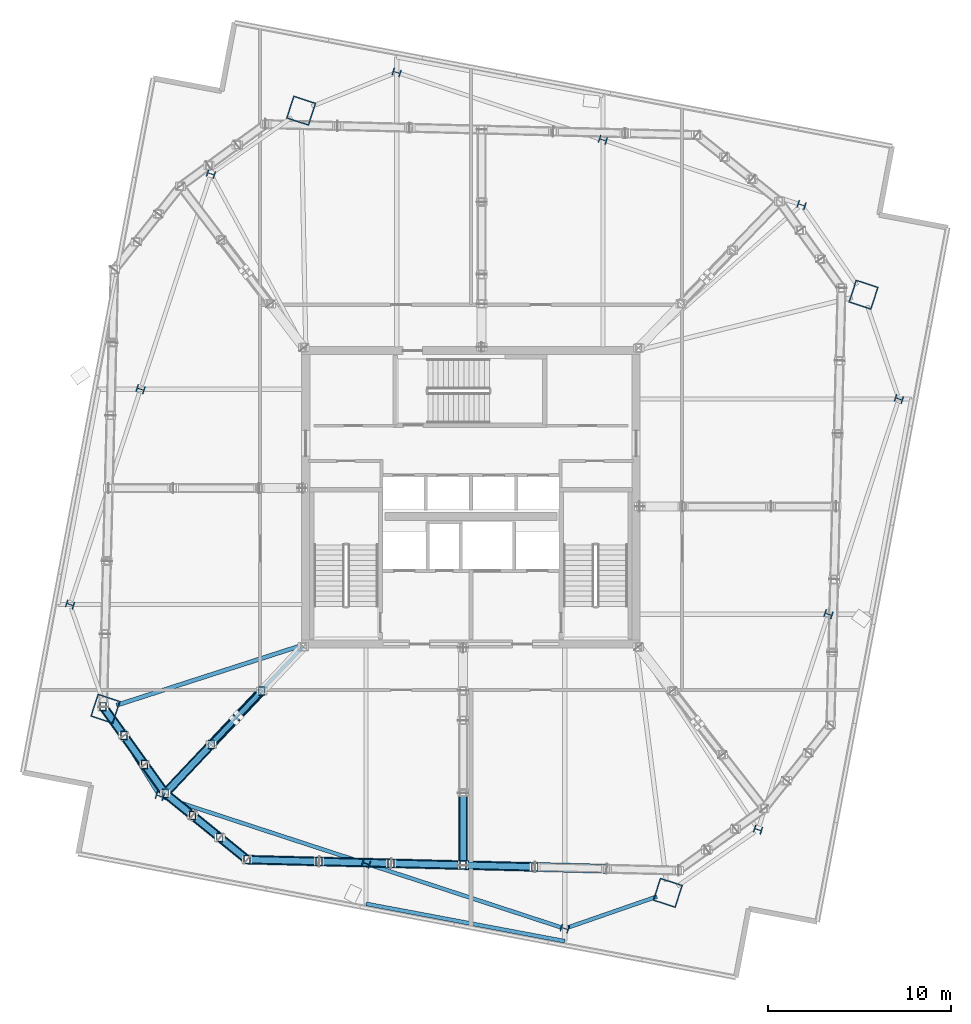
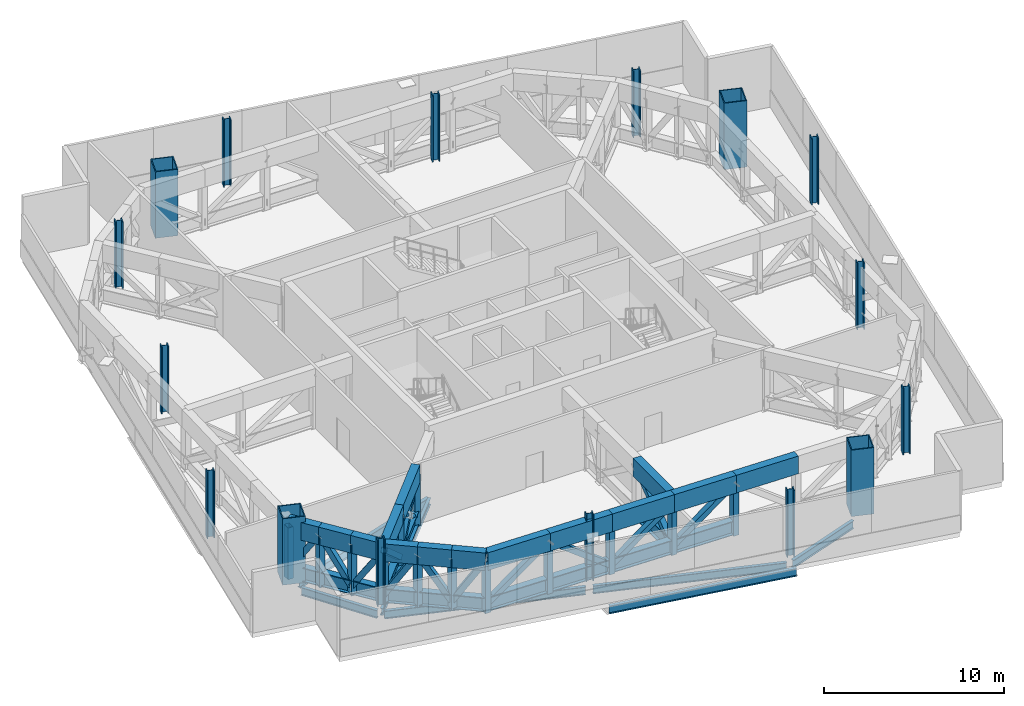
# One storey, part 1 of 15: 55 members, 16 columns, 7 beams.
"""IFC4 building model written with IfcOpenShell, lengths in metres."""

from ifc_helpers import new_model, si_unit, direction, frame, origin, origin_2d, place, context, subcontext, project, spatial, hollow_rectangle, hollow_circle, i_section, extrude, material, material_profile, profile_set, type_object, element, save


model = new_model("IFC4")

# Units and contexts
model_context = context("Model", 3, precision=1e-05, world=origin(), true_north=direction((0.0, 1.0)))
body_context = subcontext(model_context, "Body", "Model", "MODEL_VIEW")
ifc_project = project(units=[si_unit("LENGTHUNIT", "METRE"), si_unit("AREAUNIT", "SQUARE_METRE"), si_unit("VOLUMEUNIT", "CUBIC_METRE"), si_unit("PLANEANGLEUNIT", "RADIAN"), si_unit("MASSUNIT", "GRAM", prefix="KILO")], contexts=[model_context])

# Site, building, storey
site_placement = place(None, origin())
site = spatial("IfcSite", under=ifc_project, at=site_placement, CompositionType="ELEMENT")
building_placement = place(site_placement, origin())
building = spatial("IfcBuilding", under=site, at=building_placement, Name="Haldenkirk Collegiate Tower", CompositionType="ELEMENT")
storey_placement = place(building_placement, frame((0.0, 0.0, 293.699951171875)))
storey = spatial("IfcBuildingStorey", under=building, at=storey_placement, Name="L74", CompositionType="ELEMENT", Elevation=293.699951171875)

# Columns
ifc_material_1 = material(Name="Steel ASTM A913 Grade 65", Category="steel")
ifc_material_profile_1 = material_profile(ifc_material_1, i_section(OverallWidth=0.416015625, OverallDepth=0.445068359375, WebThickness=0.0390625, FlangeThickness=0.062744140625, at=origin_2d()), Name="W14X342")
ifc_profile_set_1 = profile_set([ifc_material_profile_1], Name="Steel ASTM A913 Grade 65")
column_type_1 = type_object("IfcColumnType", Name="COL-INT-W14X342", PredefinedType="COLUMN", material=ifc_profile_set_1)
for number, where, z_axis, x_axis, name in (
    (1, (51.64306640625, 7.888671875, 0.0), (0.0, 0.0, 1.0), (0.311008203279, 0.950407227189, 0.0), "L74 perimeter gravity column PC-S1"),
    (2, (55.4833984375, 19.624267578125, 0.0), (0.0, 0.0, 1.0), (0.311008203279, 0.950407227189, 0.0), "L74 perimeter gravity column PC-S2"),
    (3, (59.32373046875, 31.360107421875, 0.0), (0.0, 0.0, 1.0), (0.311008203279, 0.950407227189, 0.0), "L74 perimeter gravity column PC-S3"),
    (4, (54.01806640625, 41.9365234375, 0.0), (0.0, 0.0, 1.0), (0.311008203279, 0.950407227189, 0.0), "L74 perimeter gravity column PC-E1"),
    (5, (43.18994140625, 45.47998046875, 0.0), (0.0, 0.0, 1.0), (0.311008203279, 0.950407227189, 0.0), "L74 perimeter gravity column PC-E2"),
    (6, (31.949462890625, 49.158203125, 0.0), (0.0, 0.0, 1.0), (0.311008203279, 0.950407227189, 0.0), "L74 perimeter gravity column PC-E3"),
    (7, (21.830078125, 43.629150390625, 0.0), (0.0, 0.0, 1.0), (0.311008203279, 0.950407227189, 0.0), "L74 perimeter gravity column PC-N1"),
    (8, (17.98974609375, 31.8935546875, 0.0), (0.0, 0.0, 1.0), (0.311008203279, 0.950407227189, 0.0), "L74 perimeter gravity column PC-N2"),
    (9, (14.1494140625, 20.157958984375, 0.0), (0.0, 0.0, 1.0), (0.311008203279, 0.950407227189, 0.0), "L74 perimeter gravity column PC-N3"),
    (10, (19.042724609375, 9.71630859375, 0.0), (0.0, 0.0, 1.0), (0.311008203279, 0.950407227189, 0.0), "L74 perimeter gravity column PC-W1"),
    (11, (30.283203125, 6.0380859375, 0.0), (0.0, 0.0, 1.0), (0.311008203279, 0.950407227189, 0.0), "L74 perimeter gravity column PC-W2"),
    (12, (41.111083984375, 2.49462890625, 0.0), (0.0, 0.0, 1.0), (0.311008203279, 0.950407227189, 0.0), "L74 perimeter gravity column PC-W3"),
):
    element("IfcColumn", number, at=place(storey_placement, frame(where, z_axis=z_axis, x_axis=x_axis)), inside=storey, type_object=column_type_1, Name=name, PredefinedType="COLUMN", context=body_context, shape_type="SweptSolid", body=[
        extrude(i_section(OverallWidth=0.416015625, OverallDepth=0.445068359375, WebThickness=0.0390625, FlangeThickness=0.062744140625, at=origin_2d()), origin(), (0.0, 0.0, 1.0), 4.5),
    ])
ifc_material_2 = material(Name="Steel ASTM A572 Grade 50", Category="steel")
ifc_material_profile_2 = material_profile(ifc_material_2, hollow_rectangle(XDim=1.300048828125, YDim=1.300048828125, WallThickness=0.06005859375, at=origin_2d()), Name="BOX1300X1300X60")
ifc_profile_set_2 = profile_set([ifc_material_profile_2], Name="Steel ASTM A572 Grade 50")
column_type_2 = type_object("IfcColumnType", Name="COL-MEGA-BOX1300X1300X60", PredefinedType="COLUMN", material=ifc_profile_set_2)
for number, where, z_axis, x_axis, name in (
    (13, (46.72802734375, 4.444580078125, 0.0), (0.0, 0.0, 1.0), (0.311008203279, 0.950407227189, 0.0), "L74 corner mega-column MC1"),
    (14, (57.395751953125, 37.04345703125, 0.0), (0.0, 0.0, 1.0), (0.311008203279, 0.950407227189, 0.0), "L74 corner mega-column MC2"),
    (15, (26.7451171875, 47.073486328125, 0.0), (0.0, 0.0, 1.0), (0.311008203279, 0.950407227189, 0.0), "L74 corner mega-column MC3"),
    (16, (16.077392578125, 14.474609375, 0.0), (0.0, 0.0, 1.0), (0.311008203279, 0.950407227189, 0.0), "L74 corner mega-column MC4"),
):
    element("IfcColumn", number, at=place(storey_placement, frame(where, z_axis=z_axis, x_axis=x_axis)), inside=storey, type_object=column_type_2, Name=name, PredefinedType="COLUMN", context=body_context, shape_type="SweptSolid", body=[
        extrude(hollow_rectangle(XDim=1.300048828125, YDim=1.300048828125, WallThickness=0.06005859375, at=origin_2d()), origin(), (0.0, 0.0, 1.0), 4.5),
    ])

# Beams
ifc_material_3 = material(Name="Steel ASTM A992 Grade 50", Category="steel")
ifc_material_profile_3 = material_profile(ifc_material_3, i_section(OverallWidth=0.22998046875, OverallDepth=0.616943359375, WebThickness=0.01318359375, FlangeThickness=0.022216796875, at=origin_2d()), Name="W24X94")
ifc_profile_set_3 = profile_set([ifc_material_profile_3], Name="Steel ASTM A992 Grade 50")
beam_type_1 = type_object("IfcBeamType", Name="BM-GIRDER-W24X94", PredefinedType="BEAM", material=ifc_profile_set_3)
beam_1_placement = place(storey_placement, frame((16.677001953125, 14.66796875, -0.718505859375), z_axis=(0.95165454957, 0.307170340824, 0.0), x_axis=(-0.307170340824, 0.95165454957, 0.0)))
element("IfcBeam", 17, at=beam_1_placement, inside=storey, type_object=beam_type_1, Name="L74 primary floor girder 04", PredefinedType="BEAM", context=body_context, shape_type="SweptSolid", body=[
    extrude(i_section(OverallWidth=0.22998046875, OverallDepth=0.616943359375, WebThickness=0.01318359375, FlangeThickness=0.022216796875, at=origin_2d()), origin(), (0.0, 0.0, 1.0), 10.642333984375),
])
ifc_material_profile_4 = material_profile(ifc_material_3, i_section(OverallWidth=0.18994140625, OverallDepth=0.45703125, WebThickness=0.009033203125, FlangeThickness=0.014404296875, at=origin_2d()), Name="W18X50")
ifc_profile_set_4 = profile_set([ifc_material_profile_4], Name="Steel ASTM A992 Grade 50")
beam_type_2 = type_object("IfcBeamType", Name="BM-JOIST-W18X50", PredefinedType="JOIST", material=ifc_profile_set_4)
beam_2_placement = place(storey_placement, frame((19.18310546875, 9.8623046875, -0.638427734375), z_axis=(0.692739137096, 0.721188247225, 0.0), x_axis=(-0.721188247225, 0.692739137096, 0.0)))
element("IfcBeam", 18, at=beam_2_placement, inside=storey, type_object=beam_type_2, Name="L74 composite floor joist 14", PredefinedType="JOIST", context=body_context, shape_type="SweptSolid", body=[
    extrude(i_section(OverallWidth=0.18994140625, OverallDepth=0.45703125, WebThickness=0.009033203125, FlangeThickness=0.014404296875, at=origin_2d()), origin(), (0.0, 0.0, 1.0), 11.078857421875),
])
ifc_material_profile_5 = material_profile(ifc_material_3, i_section(OverallWidth=0.2099609375, OverallDepth=0.537109375, WebThickness=0.010986328125, FlangeThickness=0.017333984375, at=origin_2d()), Name="W21X68")
ifc_profile_set_5 = profile_set([ifc_material_profile_5], Name="Steel ASTM A992 Grade 50")
beam_type_3 = type_object("IfcBeamType", Name="BM-SPANDREL-W21X68", PredefinedType="SPANDREL", material=ifc_profile_set_5)
beam_3_placement = place(storey_placement, frame((16.41064453125, 13.939697265625, -0.678466796875), z_axis=(0.528899826427, -0.848684260255, 0.0), x_axis=(0.848684260255, 0.528899826427, 0.0)))
element("IfcBeam", 19, at=beam_3_placement, inside=storey, type_object=beam_type_3, Name="L74 perimeter spandrel beam 13", PredefinedType="SPANDREL", context=body_context, shape_type="SweptSolid", body=[
    extrude(i_section(OverallWidth=0.2099609375, OverallDepth=0.537109375, WebThickness=0.010986328125, FlangeThickness=0.017333984375, at=origin_2d()), origin(), (0.0, 0.0, 1.0), 4.77392578125),
])
beam_4_placement = place(storey_placement, frame((19.235107421875, 9.6533203125, -0.678466796875), z_axis=(0.950408846531, -0.311003254701, 0.0), x_axis=(0.311003254701, 0.950408846531, 0.0)))
element("IfcBeam", 20, at=beam_4_placement, inside=storey, type_object=beam_type_3, Name="L74 perimeter spandrel beam 14", PredefinedType="SPANDREL", context=body_context, shape_type="SweptSolid", body=[
    extrude(i_section(OverallWidth=0.2099609375, OverallDepth=0.537109375, WebThickness=0.010986328125, FlangeThickness=0.017333984375, at=origin_2d()), origin(), (0.0, 0.0, 1.0), 11.421875),
])
beam_5_placement = place(storey_placement, frame((30.4755859375, 5.97509765625, -0.678466796875), z_axis=(0.95040429397, -0.311017166733, 0.0), x_axis=(0.311017166733, 0.95040429397, 0.0)))
element("IfcBeam", 21, at=beam_5_placement, inside=storey, type_object=beam_type_3, Name="L74 perimeter spandrel beam 15", PredefinedType="SPANDREL", context=body_context, shape_type="SweptSolid", body=[
    extrude(i_section(OverallWidth=0.2099609375, OverallDepth=0.537109375, WebThickness=0.010986328125, FlangeThickness=0.017333984375, at=origin_2d()), origin(), (0.0, 0.0, 1.0), 10.988037109375),
])
beam_6_placement = place(storey_placement, frame((41.302490234375, 2.56103515625, -0.678466796875), z_axis=(0.944700169719, 0.327935343221, 0.0), x_axis=(-0.327935343221, 0.944700169719, 0.0)))
element("IfcBeam", 22, at=beam_6_placement, inside=storey, type_object=beam_type_3, Name="L74 perimeter spandrel beam 16", PredefinedType="SPANDREL", context=body_context, shape_type="SweptSolid", body=[
    extrude(i_section(OverallWidth=0.2099609375, OverallDepth=0.537109375, WebThickness=0.010986328125, FlangeThickness=0.017333984375, at=origin_2d()), origin(), (0.0, 0.0, 1.0), 5.113037109375),
])
beam_7_placement = place(storey_placement, frame((30.283203125, 3.844970703125, -0.678466796875), z_axis=(0.982770944131, -0.18482768021, 0.0), x_axis=(0.18482768021, 0.982770944131, 0.0)))
element("IfcBeam", 23, at=beam_7_placement, inside=storey, type_object=beam_type_3, Name="L74 outer facade edge beam 4", PredefinedType="SPANDREL", context=body_context, shape_type="SweptSolid", body=[
    extrude(i_section(OverallWidth=0.2099609375, OverallDepth=0.537109375, WebThickness=0.010986328125, FlangeThickness=0.017333984375, at=origin_2d()), origin(), (0.0, 0.0, 1.0), 11.017822265625),
])

# Members
ifc_material_profile_6 = material_profile(ifc_material_2, hollow_rectangle(XDim=0.5, YDim=1.199951171875, WallThickness=0.050048828125, at=origin_2d()), Name="BOX1200X500X50")
ifc_profile_set_6 = profile_set([ifc_material_profile_6], Name="Steel ASTM A572 Grade 50")
member_type_1 = type_object("IfcMemberType", Name="MBR-CHORD-BOX1200", PredefinedType="CHORD", material=ifc_profile_set_6)
member_1_placement = place(storey_placement, frame((24.597412109375, 15.449951171875, 3.5), z_axis=(-0.685776359863, -0.727812327632, 0.0), x_axis=(0.727812327632, -0.685776359863, 0.0)))
element("IfcMember", 24, at=member_1_placement, inside=storey, type_object=member_type_1, Name="Outrigger Truss L74 Radial 04 top chord 2", PredefinedType="CHORD", context=body_context, shape_type="SweptSolid", body=[
    extrude(hollow_rectangle(XDim=0.5, YDim=1.199951171875, WallThickness=0.050048828125, at=origin_2d()), origin(), (0.0, 0.0, 1.0), 4.01318359375),
])
member_2_placement = place(storey_placement, frame((21.84521484375, 12.529052734375, 3.5), z_axis=(-0.685772595522, -0.727815874539, 0.0), x_axis=(0.727815874539, -0.685772595522, 0.0)))
element("IfcMember", 25, at=member_2_placement, inside=storey, type_object=member_type_1, Name="Outrigger Truss L74 Radial 04 top chord 3", PredefinedType="CHORD", context=body_context, shape_type="SweptSolid", body=[
    extrude(hollow_rectangle(XDim=0.5, YDim=1.199951171875, WallThickness=0.050048828125, at=origin_2d()), origin(), (0.0, 0.0, 1.0), 3.658447265625),
])
member_3_placement = place(storey_placement, frame((35.567626953125, 9.903076171875, 3.5), z_axis=(0.0, -1.0, 0.0), x_axis=(1.0, 0.0, 0.0)))
element("IfcMember", 26, at=member_3_placement, inside=storey, type_object=member_type_1, Name="Outrigger Truss L74 Radial 08 top chord 4", PredefinedType="CHORD", context=body_context, shape_type="SweptSolid", body=[
    extrude(hollow_rectangle(XDim=0.5, YDim=1.199951171875, WallThickness=0.050048828125, at=origin_2d()), origin(), (0.0, 0.0, 1.0), 3.948486328125),
])
for number, where, z_axis, x_axis, name in (
    (27, (15.954833984375, 14.587646484375, 3.5), (0.582299499263, -0.812974349631, 0.0), (0.812974349631, 0.582299499263, 0.0), "Belt Truss L74-12 top chord 1"),
    (28, (17.08203125, 13.013916015625, 3.5), (0.582299499263, -0.812974349631, 0.0), (0.812974349631, 0.582299499263, 0.0), "Belt Truss L74-12 top chord 2"),
    (29, (18.209228515625, 11.440185546875, 3.5), (0.582299499263, -0.812974349631, 0.0), (0.812974349631, 0.582299499263, 0.0), "Belt Truss L74-12 top chord 3"),
):
    element("IfcMember", number, at=place(storey_placement, frame(where, z_axis=z_axis, x_axis=x_axis)), inside=storey, type_object=member_type_1, Name=name, PredefinedType="CHORD", context=body_context, shape_type="SweptSolid", body=[
        extrude(hollow_rectangle(XDim=0.5, YDim=1.199951171875, WallThickness=0.050048828125, at=origin_2d()), origin(), (0.0, 0.0, 1.0), 1.935791015625),
    ])
member_4_placement = place(storey_placement, frame((19.33642578125, 9.866455078125, 3.5), z_axis=(0.776944664632, -0.629568890671, 0.0), x_axis=(0.629568890671, 0.776944664632, 0.0)))
element("IfcMember", 30, at=member_4_placement, inside=storey, type_object=member_type_1, Name="Belt Truss L74-13 top chord 1", PredefinedType="CHORD", context=body_context, shape_type="SweptSolid", body=[
    extrude(hollow_rectangle(XDim=0.5, YDim=1.199951171875, WallThickness=0.050048828125, at=origin_2d()), origin(), (0.0, 0.0, 1.0), 1.913330078125),
])
for number, where, z_axis, x_axis, name in (
    (31, (20.822998046875, 8.661865234375, 3.5), (0.7769952315, -0.629506481481, 0.0), (0.629506481481, 0.7769952315, 0.0), "Belt Truss L74-13 top chord 2"),
    (32, (22.309814453125, 7.457275390625, 3.5), (0.776882252483, -0.629645905075, 0.0), (0.629645905075, 0.776882252483, 0.0), "Belt Truss L74-13 top chord 3"),
):
    element("IfcMember", number, at=place(storey_placement, frame(where, z_axis=z_axis, x_axis=x_axis)), inside=storey, type_object=member_type_1, Name=name, PredefinedType="CHORD", context=body_context, shape_type="SweptSolid", body=[
        extrude(hollow_rectangle(XDim=0.5, YDim=1.199951171875, WallThickness=0.050048828125, at=origin_2d()), origin(), (0.0, 0.0, 1.0), 1.91357421875),
    ])
member_5_placement = place(storey_placement, frame((23.79638671875, 6.25244140625, 3.5), z_axis=(0.999681085379, -0.025253267836, 0.0), x_axis=(0.025253267836, 0.999681085379, 0.0)))
element("IfcMember", 33, at=member_5_placement, inside=storey, type_object=member_type_1, Name="Belt Truss L74-14 top chord 1", PredefinedType="CHORD", context=body_context, shape_type="SweptSolid", body=[
    extrude(hollow_rectangle(XDim=0.5, YDim=1.199951171875, WallThickness=0.050048828125, at=origin_2d()), origin(), (0.0, 0.0, 1.0), 3.925048828125),
])
member_6_placement = place(storey_placement, frame((27.72021484375, 6.1533203125, 3.5), z_axis=(0.999677897083, -0.025379166325, 0.0), x_axis=(0.025379166325, 0.999677897083, 0.0)))
element("IfcMember", 34, at=member_6_placement, inside=storey, type_object=member_type_1, Name="Belt Truss L74-14 top chord 2", PredefinedType="CHORD", context=body_context, shape_type="SweptSolid", body=[
    extrude(hollow_rectangle(XDim=0.5, YDim=1.199951171875, WallThickness=0.050048828125, at=origin_2d()), origin(), (0.0, 0.0, 1.0), 3.9248046875),
])
member_7_placement = place(storey_placement, frame((31.643798828125, 6.0537109375, 3.5), z_axis=(0.999681085379, -0.025253267836, 0.0), x_axis=(0.025253267836, 0.999681085379, 0.0)))
element("IfcMember", 35, at=member_7_placement, inside=storey, type_object=member_type_1, Name="Belt Truss L74-14 top chord 3", PredefinedType="CHORD", context=body_context, shape_type="SweptSolid", body=[
    extrude(hollow_rectangle(XDim=0.5, YDim=1.199951171875, WallThickness=0.050048828125, at=origin_2d()), origin(), (0.0, 0.0, 1.0), 3.925048828125),
])
member_8_placement = place(storey_placement, frame((35.567626953125, 5.95458984375, 3.5), z_axis=(0.9996787722, -0.025344672256, 0.0), x_axis=(0.025344672256, 0.9996787722, 0.0)))
element("IfcMember", 36, at=member_8_placement, inside=storey, type_object=member_type_1, Name="Belt Truss L74-15 top chord 1", PredefinedType="CHORD", context=body_context, shape_type="SweptSolid", body=[
    extrude(hollow_rectangle(XDim=0.5, YDim=1.199951171875, WallThickness=0.050048828125, at=origin_2d()), origin(), (0.0, 0.0, 1.0), 3.910888671875),
])
member_9_placement = place(storey_placement, frame((39.477294921875, 5.85546875, 3.5), z_axis=(0.999680391795, -0.025280709252, 0.0), x_axis=(0.025280709252, 0.999680391795, 0.0)))
element("IfcMember", 37, at=member_9_placement, inside=storey, type_object=member_type_1, Name="Belt Truss L74-15 top chord 2", PredefinedType="CHORD", context=body_context, shape_type="SweptSolid", body=[
    extrude(hollow_rectangle(XDim=0.5, YDim=1.199951171875, WallThickness=0.050048828125, at=origin_2d()), origin(), (0.0, 0.0, 1.0), 3.9111328125),
])
ifc_material_profile_7 = material_profile(ifc_material_1, i_section(OverallWidth=0.423095703125, OverallDepth=0.947998046875, WebThickness=0.02392578125, FlangeThickness=0.042724609375, at=origin_2d()), Name="W36X302")
ifc_profile_set_7 = profile_set([ifc_material_profile_7], Name="Steel ASTM A913 Grade 65")
member_type_2 = type_object("IfcMemberType", Name="MBR-CHORD-W36X302", PredefinedType="CHORD", material=ifc_profile_set_7)
member_10_placement = place(storey_placement, frame((24.597412109375, 15.449951171875, 0.550048828125), z_axis=(-0.685776359863, -0.727812327632, 0.0), x_axis=(0.727812327632, -0.685776359863, 0.0)))
element("IfcMember", 38, at=member_10_placement, inside=storey, type_object=member_type_2, Name="Outrigger Truss L74 Radial 04 bottom chord 2", PredefinedType="CHORD", context=body_context, shape_type="SweptSolid", body=[
    extrude(i_section(OverallWidth=0.423095703125, OverallDepth=0.947998046875, WebThickness=0.02392578125, FlangeThickness=0.042724609375, at=origin_2d()), origin(), (0.0, 0.0, 1.0), 4.01318359375),
])
member_11_placement = place(storey_placement, frame((21.84521484375, 12.529052734375, 0.550048828125), z_axis=(-0.685772595522, -0.727815874539, 0.0), x_axis=(0.727815874539, -0.685772595522, 0.0)))
element("IfcMember", 39, at=member_11_placement, inside=storey, type_object=member_type_2, Name="Outrigger Truss L74 Radial 04 bottom chord 3", PredefinedType="CHORD", context=body_context, shape_type="SweptSolid", body=[
    extrude(i_section(OverallWidth=0.423095703125, OverallDepth=0.947998046875, WebThickness=0.02392578125, FlangeThickness=0.042724609375, at=origin_2d()), origin(), (0.0, 0.0, 1.0), 3.658447265625),
])
member_12_placement = place(storey_placement, frame((35.567626953125, 9.903076171875, 0.550048828125), z_axis=(0.0, -1.0, 0.0), x_axis=(1.0, 0.0, 0.0)))
element("IfcMember", 40, at=member_12_placement, inside=storey, type_object=member_type_2, Name="Outrigger Truss L74 Radial 08 bottom chord 4", PredefinedType="CHORD", context=body_context, shape_type="SweptSolid", body=[
    extrude(i_section(OverallWidth=0.423095703125, OverallDepth=0.947998046875, WebThickness=0.02392578125, FlangeThickness=0.042724609375, at=origin_2d()), origin(), (0.0, 0.0, 1.0), 3.948486328125),
])
for number, where, z_axis, x_axis, name in (
    (41, (15.954833984375, 14.587646484375, 0.550048828125), (0.582299499263, -0.812974349631, 0.0), (0.812974349631, 0.582299499263, 0.0), "Belt Truss L74-12 bottom chord 1"),
    (42, (17.08203125, 13.013916015625, 0.550048828125), (0.582299499263, -0.812974349631, 0.0), (0.812974349631, 0.582299499263, 0.0), "Belt Truss L74-12 bottom chord 2"),
    (43, (18.209228515625, 11.440185546875, 0.550048828125), (0.582299499263, -0.812974349631, 0.0), (0.812974349631, 0.582299499263, 0.0), "Belt Truss L74-12 bottom chord 3"),
):
    element("IfcMember", number, at=place(storey_placement, frame(where, z_axis=z_axis, x_axis=x_axis)), inside=storey, type_object=member_type_2, Name=name, PredefinedType="CHORD", context=body_context, shape_type="SweptSolid", body=[
        extrude(i_section(OverallWidth=0.423095703125, OverallDepth=0.947998046875, WebThickness=0.02392578125, FlangeThickness=0.042724609375, at=origin_2d()), origin(), (0.0, 0.0, 1.0), 1.935791015625),
    ])
member_13_placement = place(storey_placement, frame((19.33642578125, 9.866455078125, 0.550048828125), z_axis=(0.776944664632, -0.629568890671, 0.0), x_axis=(0.629568890671, 0.776944664632, 0.0)))
element("IfcMember", 44, at=member_13_placement, inside=storey, type_object=member_type_2, Name="Belt Truss L74-13 bottom chord 1", PredefinedType="CHORD", context=body_context, shape_type="SweptSolid", body=[
    extrude(i_section(OverallWidth=0.423095703125, OverallDepth=0.947998046875, WebThickness=0.02392578125, FlangeThickness=0.042724609375, at=origin_2d()), origin(), (0.0, 0.0, 1.0), 1.913330078125),
])
for number, where, z_axis, x_axis, name in (
    (45, (20.822998046875, 8.661865234375, 0.550048828125), (0.7769952315, -0.629506481481, 0.0), (0.629506481481, 0.7769952315, 0.0), "Belt Truss L74-13 bottom chord 2"),
    (46, (22.309814453125, 7.457275390625, 0.550048828125), (0.776882252483, -0.629645905075, 0.0), (0.629645905075, 0.776882252483, 0.0), "Belt Truss L74-13 bottom chord 3"),
):
    element("IfcMember", number, at=place(storey_placement, frame(where, z_axis=z_axis, x_axis=x_axis)), inside=storey, type_object=member_type_2, Name=name, PredefinedType="CHORD", context=body_context, shape_type="SweptSolid", body=[
        extrude(i_section(OverallWidth=0.423095703125, OverallDepth=0.947998046875, WebThickness=0.02392578125, FlangeThickness=0.042724609375, at=origin_2d()), origin(), (0.0, 0.0, 1.0), 1.91357421875),
    ])
member_14_placement = place(storey_placement, frame((23.79638671875, 6.25244140625, 0.550048828125), z_axis=(0.999681085379, -0.025253267836, 0.0), x_axis=(0.025253267836, 0.999681085379, 0.0)))
element("IfcMember", 47, at=member_14_placement, inside=storey, type_object=member_type_2, Name="Belt Truss L74-14 bottom chord 1", PredefinedType="CHORD", context=body_context, shape_type="SweptSolid", body=[
    extrude(i_section(OverallWidth=0.423095703125, OverallDepth=0.947998046875, WebThickness=0.02392578125, FlangeThickness=0.042724609375, at=origin_2d()), origin(), (0.0, 0.0, 1.0), 3.925048828125),
])
member_15_placement = place(storey_placement, frame((27.72021484375, 6.1533203125, 0.550048828125), z_axis=(0.999677897083, -0.025379166325, 0.0), x_axis=(0.025379166325, 0.999677897083, 0.0)))
element("IfcMember", 48, at=member_15_placement, inside=storey, type_object=member_type_2, Name="Belt Truss L74-14 bottom chord 2", PredefinedType="CHORD", context=body_context, shape_type="SweptSolid", body=[
    extrude(i_section(OverallWidth=0.423095703125, OverallDepth=0.947998046875, WebThickness=0.02392578125, FlangeThickness=0.042724609375, at=origin_2d()), origin(), (0.0, 0.0, 1.0), 3.9248046875),
])
member_16_placement = place(storey_placement, frame((31.643798828125, 6.0537109375, 0.550048828125), z_axis=(0.999681085379, -0.025253267836, 0.0), x_axis=(0.025253267836, 0.999681085379, 0.0)))
element("IfcMember", 49, at=member_16_placement, inside=storey, type_object=member_type_2, Name="Belt Truss L74-14 bottom chord 3", PredefinedType="CHORD", context=body_context, shape_type="SweptSolid", body=[
    extrude(i_section(OverallWidth=0.423095703125, OverallDepth=0.947998046875, WebThickness=0.02392578125, FlangeThickness=0.042724609375, at=origin_2d()), origin(), (0.0, 0.0, 1.0), 3.925048828125),
])
member_17_placement = place(storey_placement, frame((35.567626953125, 5.95458984375, 0.550048828125), z_axis=(0.9996787722, -0.025344672256, 0.0), x_axis=(0.025344672256, 0.9996787722, 0.0)))
element("IfcMember", 50, at=member_17_placement, inside=storey, type_object=member_type_2, Name="Belt Truss L74-15 bottom chord 1", PredefinedType="CHORD", context=body_context, shape_type="SweptSolid", body=[
    extrude(i_section(OverallWidth=0.423095703125, OverallDepth=0.947998046875, WebThickness=0.02392578125, FlangeThickness=0.042724609375, at=origin_2d()), origin(), (0.0, 0.0, 1.0), 3.910888671875),
])
ifc_material_profile_8 = material_profile(ifc_material_2, hollow_circle(Radius=0.136474609375, WallThickness=0.011962890625, at=origin_2d()), Name="CHS273X12")
ifc_profile_set_8 = profile_set([ifc_material_profile_8], Name="Steel ASTM A572 Grade 50")
member_type_3 = type_object("IfcMemberType", Name="MBR-STRUT-CHS273", PredefinedType="STRUT", material=ifc_profile_set_8)
member_18_placement = place(storey_placement, frame((24.597412109375, 15.449951171875, 0.550048828125), z_axis=(-0.552569750181, -0.58641383382, 0.59227146368), x_axis=(0.727796725029, -0.685792918479, 0.0)))
element("IfcMember", 51, at=member_18_placement, inside=storey, type_object=member_type_3, Name="Outrigger Truss L74 Radial 04 split X-brace diagonal 2A", PredefinedType="STRUT", context=body_context, shape_type="SweptSolid", body=[
    extrude(hollow_circle(Radius=0.136474609375, WallThickness=0.011962890625, at=origin_2d()), origin(), (0.0, 0.0, 1.0), 2.250732421875),
])
member_19_placement = place(storey_placement, frame((23.088623046875, 13.848876953125, 2.167236328125), z_axis=(-0.552529889913, -0.586486665005, 0.59223653427), x_axis=(0.727863922769, -0.685721597977, 0.0)))
element("IfcMember", 52, at=member_19_placement, inside=storey, type_object=member_type_3, Name="Outrigger Truss L74 Radial 04 split X-brace diagonal 2B", PredefinedType="STRUT", context=body_context, shape_type="SweptSolid", body=[
    extrude(hollow_circle(Radius=0.136474609375, WallThickness=0.011962890625, at=origin_2d()), origin(), (0.0, 0.0, 1.0), 2.25048828125),
])
ifc_material_profile_9 = material_profile(ifc_material_2, hollow_rectangle(XDim=0.35009765625, YDim=0.35009765625, WallThickness=0.01611328125, at=origin_2d()), Name="HSS350X350X16")
ifc_profile_set_9 = profile_set([ifc_material_profile_9], Name="Steel ASTM A572 Grade 50")
member_type_4 = type_object("IfcMemberType", Name="MBR-TRUSSDIAG-HSS350X350X16", PredefinedType="BRACE", material=ifc_profile_set_9)
member_20_placement = place(storey_placement, frame((24.597412109375, 15.449951171875, 3.5), z_axis=(-0.552560389223, -0.586430630414, -0.592263566307), x_axis=(0.727812327632, -0.685776359863, 0.0)))
element("IfcMember", 53, at=member_20_placement, inside=storey, type_object=member_type_4, Name="Outrigger Truss L74 Radial 04 web diagonal 2", PredefinedType="BRACE", context=body_context, shape_type="SweptSolid", body=[
    extrude(hollow_rectangle(XDim=0.35009765625, YDim=0.35009765625, WallThickness=0.01611328125, at=origin_2d()), origin(), (0.0, 0.0, 1.0), 4.980712890625),
])
member_21_placement = place(storey_placement, frame((21.84521484375, 12.529052734375, 0.550048828125), z_axis=(-0.533837341601, -0.566565788975, 0.627710840655), x_axis=(0.727815874539, -0.685772595522, 0.0)))
element("IfcMember", 54, at=member_21_placement, inside=storey, type_object=member_type_4, Name="Outrigger Truss L74 Radial 04 web diagonal 3", PredefinedType="BRACE", context=body_context, shape_type="SweptSolid", body=[
    extrude(hollow_rectangle(XDim=0.35009765625, YDim=0.35009765625, WallThickness=0.01611328125, at=origin_2d()), origin(), (0.0, 0.0, 1.0), 4.699462890625),
])
member_22_placement = place(storey_placement, frame((35.567626953125, 9.903076171875, 3.5), z_axis=(0.0, -0.801110165699, -0.598516919071), x_axis=(1.0, 0.0, 0.0)))
element("IfcMember", 55, at=member_22_placement, inside=storey, type_object=member_type_4, Name="Outrigger Truss L74 Radial 08 web diagonal 4", PredefinedType="BRACE", context=body_context, shape_type="SweptSolid", body=[
    extrude(hollow_rectangle(XDim=0.35009765625, YDim=0.35009765625, WallThickness=0.01611328125, at=origin_2d()), origin(), (0.0, 0.0, 1.0), 4.9287109375),
])
for number, where, z_axis, x_axis, name in (
    (56, (15.954833984375, 14.587646484375, 0.550048828125), (0.319466619459, -0.446021622057, 0.836065662319), (0.812974349631, 0.582299499263, 0.0), "Belt Truss L74-12 web diagonal 1"),
    (57, (17.08203125, 13.013916015625, 3.5), (0.319466619459, -0.446021622057, -0.836065662319), (0.812974349631, 0.582299499263, 0.0), "Belt Truss L74-12 web diagonal 2"),
    (58, (18.209228515625, 11.440185546875, 0.550048828125), (0.319466619459, -0.446021622057, 0.836065662319), (0.812974349631, 0.582299499263, 0.0), "Belt Truss L74-12 web diagonal 3"),
):
    element("IfcMember", number, at=place(storey_placement, frame(where, z_axis=z_axis, x_axis=x_axis)), inside=storey, type_object=member_type_4, Name=name, PredefinedType="BRACE", context=body_context, shape_type="SweptSolid", body=[
        extrude(hollow_rectangle(XDim=0.35009765625, YDim=0.35009765625, WallThickness=0.01611328125, at=origin_2d()), origin(), (0.0, 0.0, 1.0), 3.5283203125),
    ])
for number, where, z_axis, x_axis, name in (
    (59, (19.33642578125, 9.866455078125, 0.550048828125), (0.422786909659, -0.342590016794, 0.838977538087), (0.629568890671, 0.776944664632, 0.0), "Belt Truss L74-13 web diagonal 1"),
    (60, (20.822998046875, 8.661865234375, 3.5), (0.422843930349, -0.342579959333, -0.838952908112), (0.629506481481, 0.7769952315, 0.0), "Belt Truss L74-13 web diagonal 2"),
    (61, (22.309814453125, 7.457275390625, 0.550048828125), (0.422776851921, -0.342651299759, 0.838957579531), (0.629645905075, 0.776882252483, 0.0), "Belt Truss L74-13 web diagonal 3"),
):
    element("IfcMember", number, at=place(storey_placement, frame(where, z_axis=z_axis, x_axis=x_axis)), inside=storey, type_object=member_type_4, Name=name, PredefinedType="BRACE", context=body_context, shape_type="SweptSolid", body=[
        extrude(hollow_rectangle(XDim=0.35009765625, YDim=0.35009765625, WallThickness=0.01611328125, at=origin_2d()), origin(), (0.0, 0.0, 1.0), 3.51611328125),
    ])
member_23_placement = place(storey_placement, frame((23.79638671875, 6.25244140625, 0.550048828125), z_axis=(0.799144296945, -0.020187443041, 0.600800182926), x_axis=(0.025253267836, 0.999681085379, 0.0)))
element("IfcMember", 62, at=member_23_placement, inside=storey, type_object=member_type_4, Name="Belt Truss L74-14 web diagonal 1", PredefinedType="BRACE", context=body_context, shape_type="SweptSolid", body=[
    extrude(hollow_rectangle(XDim=0.35009765625, YDim=0.35009765625, WallThickness=0.01611328125, at=origin_2d()), origin(), (0.0, 0.0, 1.0), 4.91015625),
])
member_24_placement = place(storey_placement, frame((27.72021484375, 6.1533203125, 3.5), z_axis=(0.799124719277, -0.020287653877, -0.600822847553), x_axis=(0.025379166325, 0.999677897083, 0.0)))
element("IfcMember", 63, at=member_24_placement, inside=storey, type_object=member_type_4, Name="Belt Truss L74-14 web diagonal 2", PredefinedType="BRACE", context=body_context, shape_type="SweptSolid", body=[
    extrude(hollow_rectangle(XDim=0.35009765625, YDim=0.35009765625, WallThickness=0.01611328125, at=origin_2d()), origin(), (0.0, 0.0, 1.0), 4.909912109375),
])
member_25_placement = place(storey_placement, frame((31.643798828125, 6.0537109375, 0.550048828125), z_axis=(0.799144296945, -0.020187443041, 0.600800182926), x_axis=(0.025253267836, 0.999681085379, 0.0)))
element("IfcMember", 64, at=member_25_placement, inside=storey, type_object=member_type_4, Name="Belt Truss L74-14 web diagonal 3", PredefinedType="BRACE", context=body_context, shape_type="SweptSolid", body=[
    extrude(hollow_rectangle(XDim=0.35009765625, YDim=0.35009765625, WallThickness=0.01611328125, at=origin_2d()), origin(), (0.0, 0.0, 1.0), 4.91015625),
])
member_26_placement = place(storey_placement, frame((35.567626953125, 5.95458984375, 0.550048828125), z_axis=(0.798098526988, -0.020234045333, 0.602187117622), x_axis=(0.025344672256, 0.9996787722, 0.0)))
element("IfcMember", 65, at=member_26_placement, inside=storey, type_object=member_type_4, Name="Belt Truss L74-15 web diagonal 1", PredefinedType="BRACE", context=body_context, shape_type="SweptSolid", body=[
    extrude(hollow_rectangle(XDim=0.35009765625, YDim=0.35009765625, WallThickness=0.01611328125, at=origin_2d()), origin(), (0.0, 0.0, 1.0), 4.898681640625),
])
ifc_material_profile_10 = material_profile(ifc_material_2, hollow_rectangle(XDim=0.35009765625, YDim=0.449951171875, WallThickness=0.02197265625, at=origin_2d()), Name="HSS450X350X22")
ifc_profile_set_10 = profile_set([ifc_material_profile_10], Name="Steel ASTM A572 Grade 50")
member_type_5 = type_object("IfcMemberType", Name="MBR-TRUSSPOST-HSS450X350X22", PredefinedType="POST", material=ifc_profile_set_10)
for number, where, z_axis, x_axis, name in (
    (66, (24.597412109375, 15.449951171875, 0.0), (0.0, 0.0, 1.0), (1.0, 0.0, 0.0), "Outrigger Truss L74 Radial 04 vertical post 2"),
    (67, (21.84521484375, 12.529052734375, 0.0), (0.0, 0.0, 1.0), (1.0, 0.0, 0.0), "Outrigger Truss L74 Radial 04 vertical post 3"),
    (68, (19.33642578125, 9.866455078125, 0.0), (0.0, 0.0, 1.0), (1.0, 0.0, 0.0), "Outrigger Truss L74 Radial 04 vertical post 4"),
    (69, (35.567626953125, 5.95458984375, 0.0), (0.0, 0.0, 1.0), (1.0, 0.0, 0.0), "Outrigger Truss L74 Radial 08 vertical post 5"),
    (70, (15.954833984375, 14.587646484375, 0.0), (0.0, 0.0, 1.0), (1.0, 0.0, 0.0), "Belt Truss L74-11 vertical post 4"),
    (71, (17.08203125, 13.013916015625, 0.0), (0.0, 0.0, 1.0), (1.0, 0.0, 0.0), "Belt Truss L74-12 vertical post 2"),
    (72, (18.209228515625, 11.440185546875, 0.0), (0.0, 0.0, 1.0), (1.0, 0.0, 0.0), "Belt Truss L74-12 vertical post 3"),
    (73, (20.822998046875, 8.661865234375, 0.0), (0.0, 0.0, 1.0), (1.0, 0.0, 0.0), "Belt Truss L74-13 vertical post 2"),
    (74, (22.309814453125, 7.457275390625, 0.0), (0.0, 0.0, 1.0), (1.0, 0.0, 0.0), "Belt Truss L74-13 vertical post 3"),
    (75, (23.79638671875, 6.25244140625, 0.0), (0.0, 0.0, 1.0), (1.0, 0.0, 0.0), "Belt Truss L74-13 vertical post 4"),
    (76, (27.72021484375, 6.1533203125, 0.0), (0.0, 0.0, 1.0), (1.0, 0.0, 0.0), "Belt Truss L74-14 vertical post 2"),
    (77, (31.643798828125, 6.0537109375, 0.0), (0.0, 0.0, 1.0), (1.0, 0.0, 0.0), "Belt Truss L74-14 vertical post 3"),
    (78, (39.477294921875, 5.85546875, 0.0), (0.0, 0.0, 1.0), (1.0, 0.0, 0.0), "Belt Truss L74-15 vertical post 2"),
):
    element("IfcMember", number, at=place(storey_placement, frame(where, z_axis=z_axis, x_axis=x_axis)), inside=storey, type_object=member_type_5, Name=name, PredefinedType="POST", context=body_context, shape_type="SweptSolid", body=[
        extrude(hollow_rectangle(XDim=0.35009765625, YDim=0.449951171875, WallThickness=0.02197265625, at=origin_2d()), origin(), (0.0, 0.0, 1.0), 3.5),
    ])

save(model, "model.ifc")
